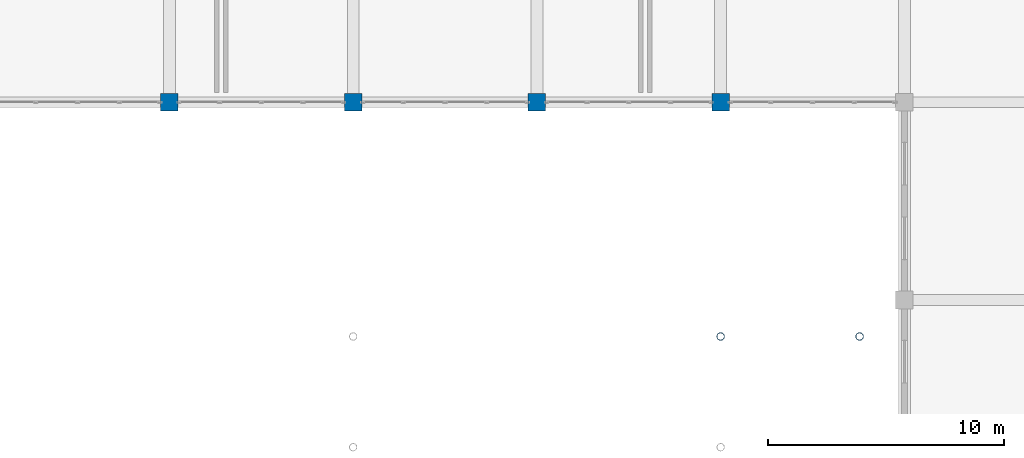
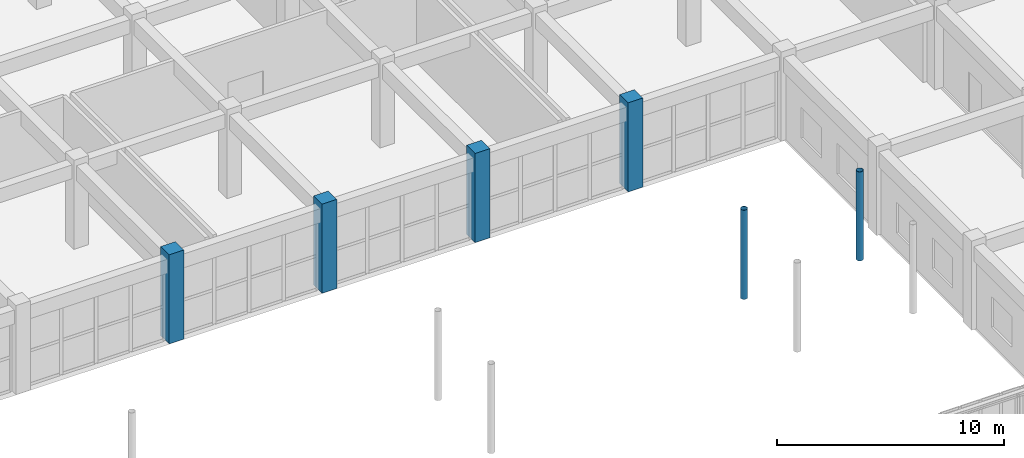
# One storey, part 7 of 175: 6 columns.
"""IFC4 building model written with IfcOpenShell, lengths in metres."""

from ifc_helpers import new_model, si_unit, direction, frame, origin, origin_2d, place, context, subcontext, project, spatial, rectangle, hollow_circle, extrude, material, material_profile, profile_set, type_object, element, save


model = new_model("IFC4")

# Units and contexts
model_context = context("Model", 3, precision=1e-05, world=origin(), true_north=direction((0.0, 1.0)))
body_context = subcontext(model_context, "Body", "Model", "MODEL_VIEW")
ifc_project = project(units=[si_unit("LENGTHUNIT", "METRE"), si_unit("AREAUNIT", "SQUARE_METRE"), si_unit("VOLUMEUNIT", "CUBIC_METRE"), si_unit("PLANEANGLEUNIT", "RADIAN"), si_unit("MASSUNIT", "GRAM", prefix="KILO")], contexts=[model_context])

# Site, building, storey
site_placement = place(None, origin())
site = spatial("IfcSite", under=ifc_project, at=site_placement, CompositionType="ELEMENT")
building_placement = place(site_placement, origin())
building = spatial("IfcBuilding", under=site, at=building_placement, Name="Zizhar Promenade General Hospital", CompositionType="ELEMENT")
storey_placement = place(building_placement, frame((0.0, 0.0, 4.800048828125)))
storey = spatial("IfcBuildingStorey", under=building, at=storey_placement, Name="L01", CompositionType="ELEMENT", Elevation=4.800048828125)

# Columns
ifc_material_1 = material(Name="Concrete C40/50", Category="concrete")
ifc_material_profile_1 = material_profile(ifc_material_1, rectangle(XDim=0.75, YDim=0.75, at=origin_2d()))
ifc_profile_set_1 = profile_set([ifc_material_profile_1], Name="Concrete C40/50")
column_type_1 = type_object("IfcColumnType", Name="COL-RC-750", PredefinedType="COLUMN", material=ifc_profile_set_1)
for number, where, z_axis, x_axis, name in (
    (1, (93.60009765625, 92.39990234375, 0.0), (0.0, 0.0, 1.0), (1.0, 0.0, 0.0), "Column 13-M (L01)"),
    (2, (101.39990234375, 92.39990234375, 0.0), (0.0, 0.0, 1.0), (1.0, 0.0, 0.0), "Column 14-M (L01)"),
    (3, (109.199951171875, 92.39990234375, 0.0), (0.0, 0.0, 1.0), (1.0, 0.0, 0.0), "Column 15-M (L01)"),
    (4, (117.0, 92.39990234375, 0.0), (0.0, 0.0, 1.0), (1.0, 0.0, 0.0), "Column 16-M (L01)"),
):
    element("IfcColumn", number, at=place(storey_placement, frame(where, z_axis=z_axis, x_axis=x_axis)), inside=storey, type_object=column_type_1, Name=name, PredefinedType="COLUMN", context=body_context, shape_type="SweptSolid", body=[
        extrude(rectangle(XDim=0.75, YDim=0.75, at=origin_2d()), origin(), (0.0, 0.0, 1.0), 4.800048828125),
    ])
ifc_material_2 = material(Name="Steel S355", Category="steel")
ifc_material_profile_2 = material_profile(ifc_material_2, hollow_circle(Radius=0.161865234375, WallThickness=0.012451171875, at=origin_2d()))
ifc_profile_set_2 = profile_set([ifc_material_profile_2], Name="Steel S355")
column_type_2 = type_object("IfcColumnType", Name="COL-STL-CHS324", PredefinedType="COLUMN", material=ifc_profile_set_2)
for number, where, z_axis, x_axis, name in (
    (5, (117.0, 82.449951171875, 0.0), (0.0, 0.0, 1.0), (1.0, 0.0, 0.0), "SB-2 Courtyard Pier 3N (L01)"),
    (6, (122.89990234375, 82.449951171875, 0.0), (0.0, 0.0, 1.0), (1.0, 0.0, 0.0), "SB-2 Abutment Pier 2N (L01)"),
):
    element("IfcColumn", number, at=place(storey_placement, frame(where, z_axis=z_axis, x_axis=x_axis)), inside=storey, type_object=column_type_2, Name=name, PredefinedType="COLUMN", context=body_context, shape_type="SweptSolid", body=[
        extrude(hollow_circle(Radius=0.161865234375, WallThickness=0.012451171875, at=origin_2d()), origin(), (0.0, 0.0, 1.0), 4.800048828125),
    ])

save(model, "model.ifc")
